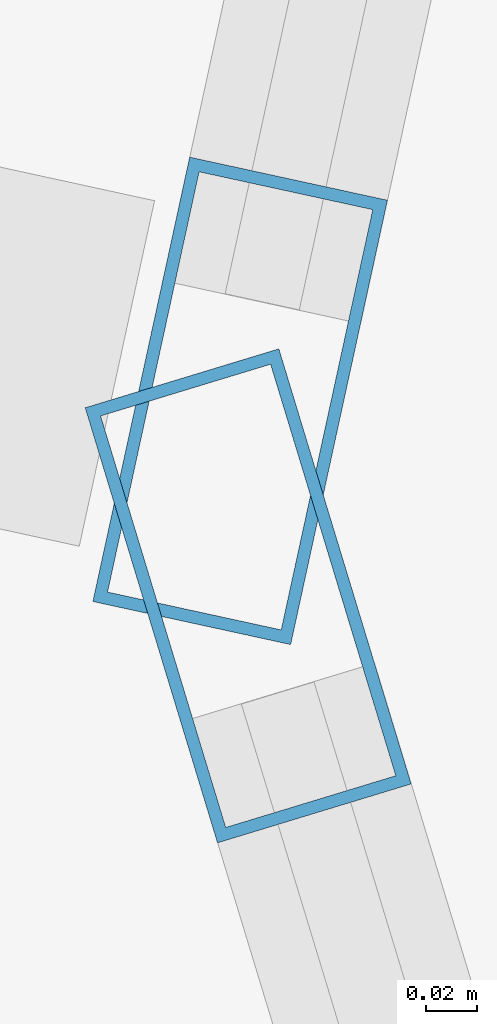
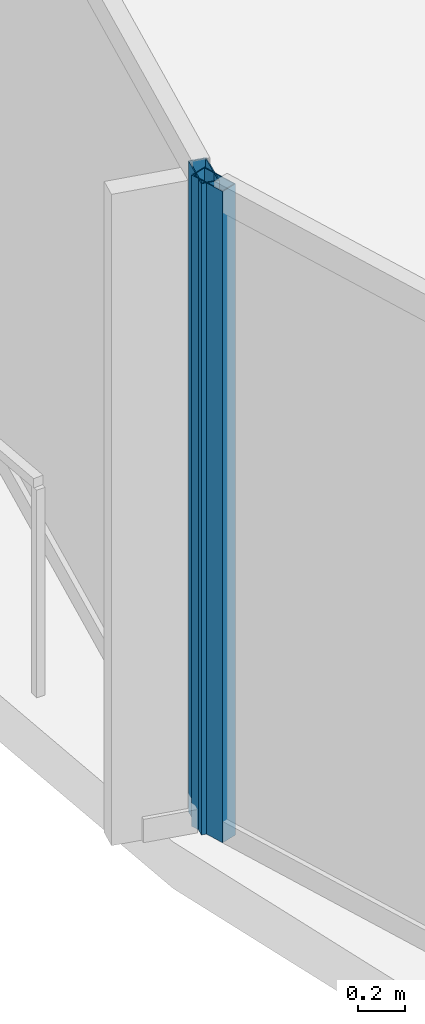
# One storey, part 8 of 34: 2 members, 2 elements without a shape of their own.
"""IFC4 building model written with IfcOpenShell, lengths in metres."""

from ifc_helpers import new_model, si_unit, direction, frame, origin, origin_2d, place, context, subcontext, project, spatial, hollow_rectangle, extrude, material, layer, layer_set, material_profile, profile_set, type_object, element, aggregate, save


model = new_model("IFC4")

# Units and contexts
model_context = context("Model", 3, precision=1e-05, world=origin(), true_north=direction((0.0, 1.0)))
body_context = subcontext(model_context, "Body", "Model", "MODEL_VIEW")
ifc_project = project(units=[si_unit("LENGTHUNIT", "METRE"), si_unit("AREAUNIT", "SQUARE_METRE"), si_unit("VOLUMEUNIT", "CUBIC_METRE"), si_unit("PLANEANGLEUNIT", "RADIAN"), si_unit("MASSUNIT", "GRAM", prefix="KILO")], contexts=[model_context])

# Site, building, storey
site_placement = place(None, origin())
site = spatial("IfcSite", under=ifc_project, at=site_placement, CompositionType="ELEMENT")
building_placement = place(site_placement, origin())
building = spatial("IfcBuilding", under=site, at=building_placement, Name="Kazevale Care Tower and Concert Hall", CompositionType="ELEMENT")
storey_placement = place(building_placement, frame((0.0, 0.0, 156.60009765625)))
storey = spatial("IfcBuildingStorey", under=building, at=storey_placement, Name="L41", CompositionType="ELEMENT", Elevation=156.60009765625)

# Curtain wall, member
ifc_material_1 = material(Name="Aluminium 6063-T6 and Low-E Glass", Category="aluminium")
ifc_layer = layer(ifc_material_1, 0.179931640625)
ifc_layer_set = layer_set([ifc_layer], Name="Aluminium 6063-T6 and Low-E Glass")
curtain_wall_type = type_object("IfcCurtainWallType", Name="Waist & Upper Residential Curtain Wall CW-4", PredefinedType="NOTDEFINED", material=ifc_layer_set)
curtain_wall_1_placement = place(storey_placement, origin())
curtain_wall_1 = element("IfcCurtainWall", 1, at=curtain_wall_1_placement, inside=storey, type_object=curtain_wall_type, Name="cw:L41:f12", PredefinedType="NOTDEFINED")
ifc_material_2 = material(Name="Aluminium 6063-T6", Category="aluminium")
ifc_material_profile = material_profile(ifc_material_2, hollow_rectangle(XDim=0.080078125, YDim=0.179931640625, WallThickness=0.0048828125, at=origin_2d()), Name="ALU80x180x5")
ifc_profile_set = profile_set([ifc_material_profile], Name="Aluminium 6063-T6")
member_type = type_object("IfcMemberType", Name="CW-4 Mullion ALU80x180x5", PredefinedType="MULLION", material=ifc_profile_set)
member_1_placement = place(storey_placement, frame((11.006591796875, 34.98583984375, 0.0), z_axis=(0.0, 0.0, 1.0), x_axis=(-0.956729897234, -0.290977496961, 0.0)))
member_1 = element("IfcMember", 2, at=member_1_placement, type_object=member_type, Name="CW-4 mullion 2", PredefinedType="MULLION", context=body_context, shape_type="SweptSolid", body=[
    extrude(hollow_rectangle(XDim=0.080078125, YDim=0.179931640625, WallThickness=0.0048828125, at=origin_2d()), origin(), (0.0, 0.0, 1.0), 3.35986328125),
])
aggregate(curtain_wall_1, [member_1])

curtain_wall_2_placement = place(storey_placement, origin())
curtain_wall_2 = element("IfcCurtainWall", 3, at=curtain_wall_2_placement, inside=storey, type_object=curtain_wall_type, Name="cw:L41:f13", PredefinedType="NOTDEFINED")
member_2_placement = place(storey_placement, frame((11.00341796875, 35.06298828125, 0.0), z_axis=(0.0, 0.0, 1.0), x_axis=(-0.977090755849, 0.21282305992, 0.0)))
member_2 = element("IfcMember", 4, at=member_2_placement, type_object=member_type, Name="CW-4 mullion 1", PredefinedType="MULLION", context=body_context, shape_type="SweptSolid", body=[
    extrude(hollow_rectangle(XDim=0.080078125, YDim=0.179931640625, WallThickness=0.0048828125, at=origin_2d()), origin(), (0.0, 0.0, 1.0), 3.35986328125),
])
aggregate(curtain_wall_2, [member_2])

save(model, "model.ifc")
